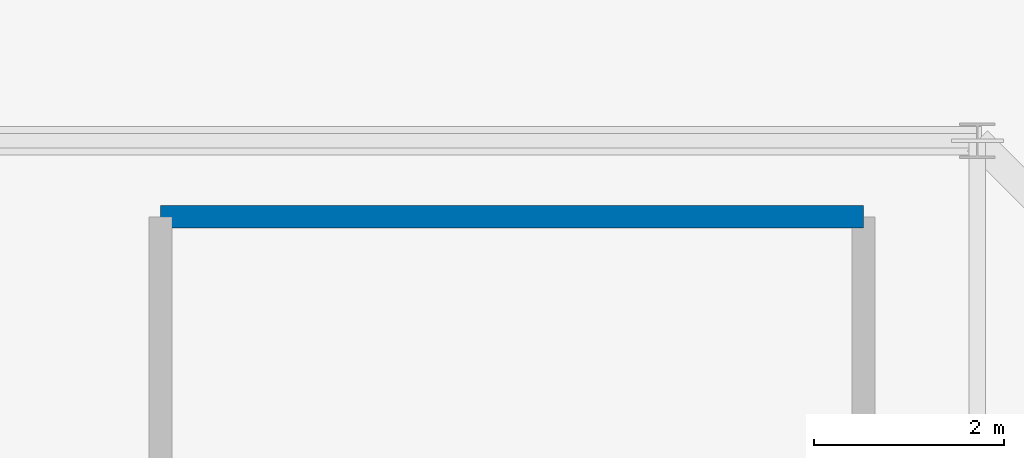
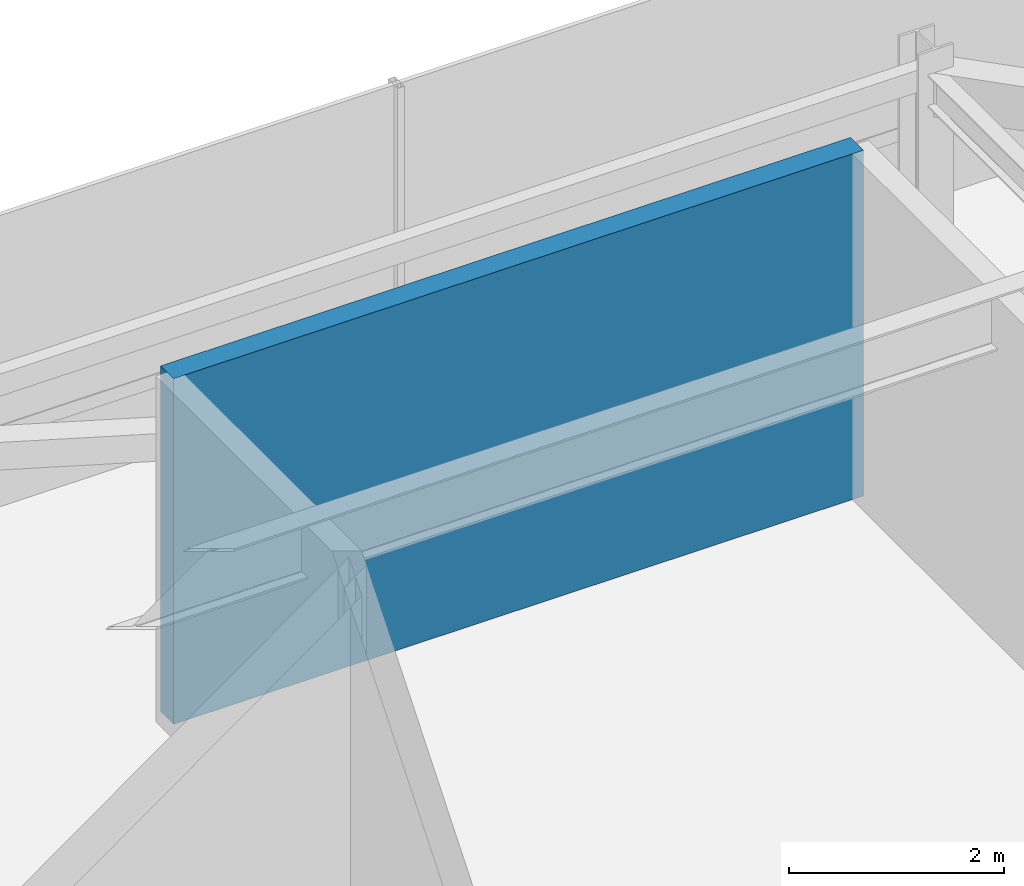
# One storey, part 45 of 47: 1 wall.
"""IFC4 building model written with IfcOpenShell, lengths in metres."""

from ifc_helpers import new_model, si_unit, direction, frame, frame_2d, origin, place, context, subcontext, project, spatial, rectangle, extrude, material, layer, layer_set, type_object, element, save


model = new_model("IFC4")

# Units and contexts
model_context = context("Model", 3, precision=1e-05, world=origin(), true_north=direction((0.0, 1.0)))
body_context = subcontext(model_context, "Body", "Model", "MODEL_VIEW")
ifc_project = project(units=[si_unit("LENGTHUNIT", "METRE"), si_unit("AREAUNIT", "SQUARE_METRE"), si_unit("VOLUMEUNIT", "CUBIC_METRE"), si_unit("PLANEANGLEUNIT", "RADIAN"), si_unit("MASSUNIT", "GRAM", prefix="KILO")], contexts=[model_context])

# Site, building, storey
site_placement = place(None, origin())
site = spatial("IfcSite", under=ifc_project, at=site_placement, CompositionType="ELEMENT")
building_placement = place(site_placement, origin())
building = spatial("IfcBuilding", under=site, at=building_placement, Name="Thornwick Lancets Civic Towers", CompositionType="ELEMENT")
storey_placement = place(building_placement, frame((0.0, 0.0, 279.89990234375)))
storey = spatial("IfcBuildingStorey", under=building, at=storey_placement, Name="C01", CompositionType="ELEMENT", Elevation=279.89990234375)

# Wall
ifc_material = material(Name="Concrete blockwork C40/50", Category="masonry")
ifc_layer = layer(ifc_material, 0.239990234375, Name="Concrete blockwork C40/50")
ifc_layer_set = layer_set([ifc_layer], Name="Concrete blockwork C40/50")
wall_type = type_object("IfcWallType", Name="WALL_COMP_240", PredefinedType="STANDARD", material=ifc_layer_set)
wall_placement = place(storey_placement, frame((92.89990234375, 47.0, 0.0), z_axis=(0.0, 0.0, 1.0), x_axis=(1.0, 0.0, 0.0)))
element("IfcWall", 1, at=wall_placement, inside=storey, type_object=wall_type, Name="C01 Partition C01-B-PL-CHL E2", PredefinedType="STANDARD", context=body_context, shape_type="SweptSolid", body=[
    extrude(rectangle(XDim=7.400146484375, YDim=0.239990234375, at=frame_2d((3.7001953125, 0.0))), origin(), (0.0, 0.0, 1.0), 3.920166015625),
])

save(model, "model.ifc")
